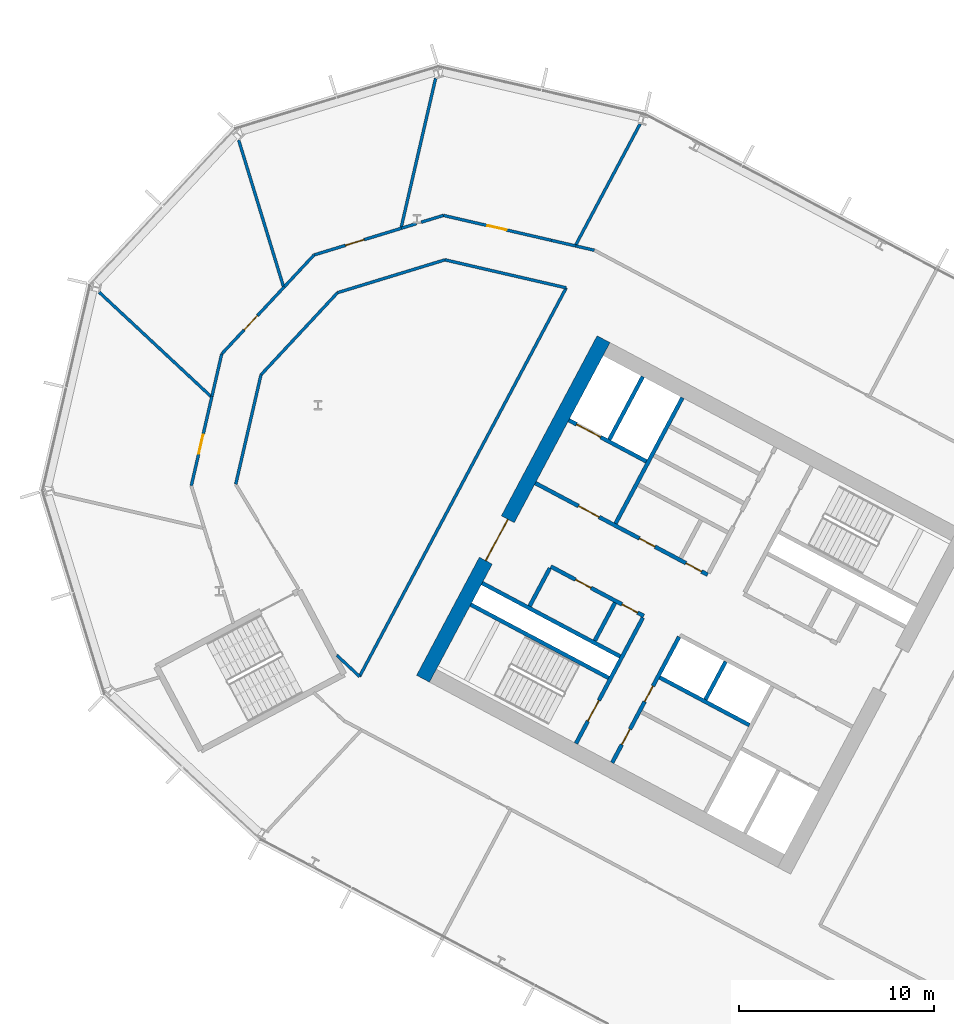
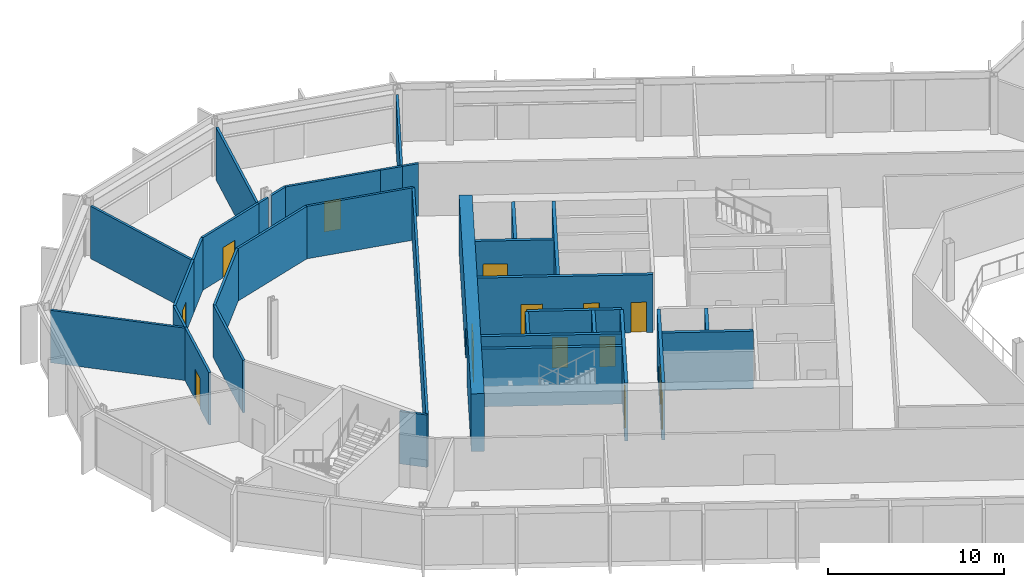
# One storey, part 14 of 28: 34 walls, 14 doors, 14 openings.
"""IFC4 building model written with IfcOpenShell, lengths in metres."""

from ifc_helpers import new_model, si_unit, direction, frame, frame_2d, origin, place, context, subcontext, project, spatial, rectangle, extrude, material, layer, layer_set, type_object, element, fill, save


model = new_model("IFC4")

# Units and contexts
model_context = context("Model", 3, precision=1e-05, world=origin(), true_north=direction((0.0, 1.0)))
body_context = subcontext(model_context, "Body", "Model", "MODEL_VIEW")
ifc_project = project(units=[si_unit("LENGTHUNIT", "METRE"), si_unit("AREAUNIT", "SQUARE_METRE"), si_unit("VOLUMEUNIT", "CUBIC_METRE"), si_unit("PLANEANGLEUNIT", "RADIAN"), si_unit("MASSUNIT", "GRAM", prefix="KILO")], contexts=[model_context])

# Site, building, storey
site_placement = place(None, origin())
site = spatial("IfcSite", under=ifc_project, at=site_placement, CompositionType="ELEMENT")
building_placement = place(site_placement, origin())
building = spatial("IfcBuilding", under=site, at=building_placement, Name="Cormorant Relay Tower", CompositionType="ELEMENT")
storey_placement = place(building_placement, frame((0.0, 0.0, 150.199951171875)))
storey = spatial("IfcBuildingStorey", under=building, at=storey_placement, Name="L31", CompositionType="ELEMENT", Elevation=150.199951171875)

# Walls
ifc_material_1 = material(Name="Concrete 40 MPa", Category="concrete")
ifc_layer_1 = layer(ifc_material_1, 0.199951171875)
ifc_layer_set_1 = layer_set([ifc_layer_1], Name="Core internal wall 200")
wall_type_1 = type_object("IfcWallType", Name="Core internal wall 200", PredefinedType="SOLIDWALL", material=ifc_layer_set_1)
wall_1_placement = place(storey_placement, frame((-25.744140625, 11.64990234375, 0.0), z_axis=(0.0, 0.0, 1.0), x_axis=(-0.469487830541, -0.882938942948, 0.0)))
element("IfcWall", 1, at=wall_1_placement, inside=storey, type_object=wall_type_1, Name="L31 core A shaft and room wall", PredefinedType="SOLIDWALL", context=body_context, shape_type="SweptSolid", body=[
    extrude(rectangle(XDim=2.2001953125, YDim=0.199951171875, at=frame_2d((1.10009765625, 0.0))), origin(), (0.0, 0.0, 1.0), 4.0),
])
wall_2_placement = place(storey_placement, frame((-31.41259765625, 14.663818359375, 0.0), z_axis=(0.0, 0.0, 1.0), x_axis=(-0.469533832133, -0.882914480843, 0.0)))
element("IfcWall", 2, at=wall_2_placement, inside=storey, type_object=wall_type_1, Name="L31 core A shaft and room wall", PredefinedType="SOLIDWALL", context=body_context, shape_type="SweptSolid", body=[
    extrude(rectangle(XDim=2.199951171875, YDim=0.199951171875, at=frame_2d((1.10009765625, 0.0))), origin(), (0.0, 0.0, 1.0), 4.0),
])

# Wall, openings, doors
ifc_material_2 = material(Name="Concrete 50 MPa", Category="concrete")
ifc_layer_2 = layer(ifc_material_2, 0.199951171875)
ifc_layer_set_2 = layer_set([ifc_layer_2], Name="Core shaft wall 200")
wall_type_2 = type_object("IfcWallType", Name="Core shaft wall 200", PredefinedType="SHEAR", material=ifc_layer_set_2)
wall_3_placement = place(storey_placement, frame((-28.128173828125, 12.91748046875, 0.0), z_axis=(0.0, 0.0, 1.0), x_axis=(-0.469454336211, -0.882956752176, 0.0)))
wall_3 = element("IfcWall", 3, at=wall_3_placement, inside=storey, type_object=wall_type_2, Name="L31 core A shaft wall", PredefinedType="SHEAR", context=body_context, shape_type="SweptSolid", body=[
    extrude(rectangle(XDim=7.300048828125, YDim=0.199951171875, at=frame_2d((3.64990234375, 0.0))), origin(), (0.0, 0.0, 1.0), 4.0),
])
opening_1_placement = place(wall_3_placement, frame((2.85009765625, 0.0, 0.0)))
opening_1 = element("IfcOpeningElement", 4, at=opening_1_placement, cuts=wall_3, Name="Opening CDD-196", PredefinedType="OPENING", context=body_context, shape_type="SweptSolid", body=[
    extrude(rectangle(XDim=0.89990234375, YDim=2.10009765625, at=frame_2d((0.449951171875, 1.050048828125))), frame((0.0, 0.10986328125, 0.0), z_axis=(0.0, -1.0, 0.0), x_axis=(1.0, 0.0, 0.0)), (0.0, 0.0, 1.0), 0.219970703125),
])
opening_2_placement = place(wall_3_placement, frame((5.35009765625, 0.0, 0.0)))
opening_2 = element("IfcOpeningElement", 5, at=opening_2_placement, cuts=wall_3, Name="Opening CDD-197", PredefinedType="OPENING", context=body_context, shape_type="SweptSolid", body=[
    extrude(rectangle(XDim=0.89990234375, YDim=2.10009765625, at=frame_2d((0.449951171875, 1.050048828125))), frame((0.0, 0.10986328125, 0.0), z_axis=(0.0, -1.0, 0.0), x_axis=(1.0, 0.0, 0.0)), (0.0, 0.0, 1.0), 0.219970703125),
])
ifc_material_3 = material(Name="Steel fire door", Category="steel")
door_type_1 = type_object("IfcDoorType", Name="Core room door 900x2100", OperationType="SINGLE_SWING_LEFT", PredefinedType="DOOR", material=ifc_material_3)
door_1_placement = place(opening_1_placement, origin())
door_1 = element("IfcDoor", 6, at=door_1_placement, inside=storey, type_object=door_type_1, Name="Core room door 900x2100", OperationType="SINGLE_SWING_LEFT", OverallHeight=2.10009765625, OverallWidth=0.89990234375, PredefinedType="DOOR", context=body_context, shape_type="SweptSolid", body=[
    extrude(rectangle(XDim=0.89990234375, YDim=2.10009765625, at=frame_2d((0.449951171875, 1.050048828125))), frame((0.0, 0.02490234375, 0.0), z_axis=(0.0, -1.0, 0.0), x_axis=(1.0, 0.0, 0.0)), (0.0, 0.0, 1.0), 0.050048828125),
])
fill(opening_1, door_1)
door_2_placement = place(opening_2_placement, origin())
door_2 = element("IfcDoor", 7, at=door_2_placement, inside=storey, type_object=door_type_1, Name="Core room door 900x2100", OperationType="SINGLE_SWING_LEFT", OverallHeight=2.10009765625, OverallWidth=0.89990234375, PredefinedType="DOOR", context=body_context, shape_type="SweptSolid", body=[
    extrude(rectangle(XDim=0.89990234375, YDim=2.10009765625, at=frame_2d((0.449951171875, 1.050048828125))), frame((0.0, 0.02490234375, 0.0), z_axis=(0.0, -1.0, 0.0), x_axis=(1.0, 0.0, 0.0)), (0.0, 0.0, 1.0), 0.050048828125),
])
fill(opening_2, door_2)

# Wall, opening, door
wall_4_placement = place(storey_placement, frame((-29.982421875, 13.9033203125, 0.0), z_axis=(0.0, 0.0, 1.0), x_axis=(-0.469454336211, -0.882956752176, 0.0)))
wall_4 = element("IfcWall", 8, at=wall_4_placement, inside=storey, type_object=wall_type_2, Name="L31 core A shaft wall", PredefinedType="SHEAR", context=body_context, shape_type="SweptSolid", body=[
    extrude(rectangle(XDim=7.300048828125, YDim=0.199951171875, at=frame_2d((3.64990234375, 0.0))), origin(), (0.0, 0.0, 1.0), 4.0),
])
opening_3_placement = place(wall_4_placement, frame((4.800048828125, 0.0, 0.0)))
opening_3 = element("IfcOpeningElement", 9, at=opening_3_placement, cuts=wall_4, Name="Opening CDB-035", PredefinedType="OPENING", context=body_context, shape_type="SweptSolid", body=[
    extrude(rectangle(XDim=1.199951171875, YDim=2.10009765625, at=frame_2d((0.60009765625, 1.050048828125))), frame((0.0, 0.10986328125, 0.0), z_axis=(0.0, -1.0, 0.0), x_axis=(1.0, 0.0, 0.0)), (0.0, 0.0, 1.0), 0.219970703125),
])
ifc_material_4 = material(Name="Steel fire door", Category="steel")
door_type_2 = type_object("IfcDoorType", Name="Core stair door 1200x2100", OperationType="SINGLE_SWING_LEFT", PredefinedType="DOOR", material=ifc_material_4)
door_3_placement = place(opening_3_placement, frame((1.199951171875, 0.0, 0.0), z_axis=(0.0, 0.0, 1.0), x_axis=(-1.0, 0.0, 0.0)))
door_3 = element("IfcDoor", 10, at=door_3_placement, inside=storey, type_object=door_type_2, Name="Core stair door 1200x2100", OperationType="SINGLE_SWING_RIGHT", OverallHeight=2.10009765625, OverallWidth=1.199951171875, PredefinedType="DOOR", context=body_context, shape_type="SweptSolid", body=[
    extrude(rectangle(XDim=1.199951171875, YDim=2.10009765625, at=frame_2d((0.60009765625, 1.050048828125))), frame((0.0, 0.02490234375, 0.0), z_axis=(0.0, -1.0, 0.0), x_axis=(1.0, 0.0, 0.0)), (0.0, 0.0, 1.0), 0.050048828125),
])
fill(opening_3, door_3)

# Walls
wall_5_placement = place(storey_placement, frame((-27.955322265625, 25.170654296875, 0.0), z_axis=(0.0, 0.0, 1.0), x_axis=(-0.469480409012, -0.88294288918, 0.0)))
element("IfcWall", 11, at=wall_5_placement, inside=storey, type_object=wall_type_2, Name="L31 core A shaft wall", PredefinedType="SHEAR", context=body_context, shape_type="SweptSolid", body=[
    extrude(rectangle(XDim=7.300048828125, YDim=0.199951171875, at=frame_2d((3.64990234375, 0.0))), origin(), (0.0, 0.0, 1.0), 4.0),
])
wall_6_placement = place(storey_placement, frame((-34.750244140625, 16.4384765625, 0.0), z_axis=(0.0, 0.0, 1.0), x_axis=(-0.469401318492, -0.882984938828, 0.0)))
element("IfcWall", 12, at=wall_6_placement, inside=storey, type_object=wall_type_2, Name="L31 core A shaft wall", PredefinedType="SHEAR", context=body_context, shape_type="SweptSolid", body=[
    extrude(rectangle(XDim=2.199951171875, YDim=0.199951171875, at=frame_2d((1.10009765625, 0.0))), origin(), (0.0, 0.0, 1.0), 4.0),
])
wall_7_placement = place(storey_placement, frame((-29.986083984375, 26.250244140625, 0.0), z_axis=(0.0, 0.0, 1.0), x_axis=(-0.469494272526, -0.882935517501, 0.0)))
element("IfcWall", 13, at=wall_7_placement, inside=storey, type_object=wall_type_2, Name="L31 core A shaft wall", PredefinedType="SHEAR", context=body_context, shape_type="SweptSolid", body=[
    extrude(rectangle(XDim=3.64990234375, YDim=0.199951171875, at=frame_2d((1.824951171875, 0.0))), origin(), (0.0, 0.0, 1.0), 4.0),
])

# Wall, opening, door
wall_8_placement = place(storey_placement, frame((-29.80419921875, 21.906494140625, 0.0), z_axis=(0.0, 0.0, 1.0), x_axis=(-0.882960433586, 0.469447412093, 0.0)))
wall_8 = element("IfcWall", 14, at=wall_8_placement, inside=storey, type_object=wall_type_2, Name="L31 core A shaft wall", PredefinedType="SHEAR", context=body_context, shape_type="SweptSolid", body=[
    extrude(rectangle(XDim=4.5, YDim=0.199951171875, at=frame_2d((2.25, 0.0))), origin(), (0.0, 0.0, 1.0), 4.0),
])
opening_4_placement = place(wall_8_placement, frame((2.64990234375, 0.0, 0.0)))
opening_4 = element("IfcOpeningElement", 15, at=opening_4_placement, cuts=wall_8, Name="Opening LD3-013", PredefinedType="OPENING", context=body_context, shape_type="SweptSolid", body=[
    extrude(rectangle(XDim=1.39990234375, YDim=2.39990234375, at=frame_2d((0.699951171875, 1.199951171875))), frame((0.0, 0.10986328125, 0.0), z_axis=(0.0, -1.0, 0.0), x_axis=(1.0, 0.0, 0.0)), (0.0, 0.0, 1.0), 0.219970703125),
])
ifc_material_5 = material(Name="Stainless steel 316", Category="steel")
door_type_3 = type_object("IfcDoorType", Name="Lift landing door 1400x2400", OperationType="DOUBLE_DOOR_SLIDING", PredefinedType="DOOR", material=ifc_material_5)
door_4_placement = place(opening_4_placement, origin())
door_4 = element("IfcDoor", 16, at=door_4_placement, inside=storey, type_object=door_type_3, Name="SV1 landing door", OperationType="DOUBLE_DOOR_SLIDING", OverallHeight=2.39990234375, OverallWidth=1.39990234375, PredefinedType="DOOR", context=body_context, shape_type="SweptSolid", body=[
    extrude(rectangle(XDim=1.39990234375, YDim=2.39990234375, at=frame_2d((0.699951171875, 1.199951171875))), frame((0.0, 0.02490234375, 0.0), z_axis=(0.0, -1.0, 0.0), x_axis=(1.0, 0.0, 0.0)), (0.0, 0.0, 1.0), 0.050048828125),
])
fill(opening_4, door_4)

# Wall, openings, doors
wall_9_placement = place(storey_placement, frame((-26.66162109375, 16.1015625, 0.0), z_axis=(0.0, 0.0, 1.0), x_axis=(-0.882940221191, 0.469485426614, 0.0)))
wall_9 = element("IfcWall", 17, at=wall_9_placement, inside=storey, type_object=wall_type_2, Name="L31 core A shaft wall", PredefinedType="SHEAR", context=body_context, shape_type="SweptSolid", body=[
    extrude(rectangle(XDim=10.0, YDim=0.199951171875, at=frame_2d((5.0, 0.0))), origin(), (0.0, 0.0, 1.0), 4.0),
])
opening_5_placement = place(wall_9_placement, frame((6.300048828125, 0.0, 0.0)))
opening_5 = element("IfcOpeningElement", 18, at=opening_5_placement, cuts=wall_9, Name="Opening CDC-026", PredefinedType="OPENING", context=body_context, shape_type="SweptSolid", body=[
    extrude(rectangle(XDim=1.199951171875, YDim=2.10009765625, at=frame_2d((0.60009765625, 1.050048828125))), frame((0.0, 0.10986328125, 0.0), z_axis=(0.0, -1.0, 0.0), x_axis=(1.0, 0.0, 0.0)), (0.0, 0.0, 1.0), 0.219970703125),
])
opening_6_placement = place(wall_9_placement, frame((0.360107421875, 0.0, 0.0)))
opening_6 = element("IfcOpeningElement", 19, at=opening_6_placement, cuts=wall_9, Name="Opening CDD-170", PredefinedType="OPENING", context=body_context, shape_type="SweptSolid", body=[
    extrude(rectangle(XDim=0.89990234375, YDim=2.10009765625, at=frame_2d((0.449951171875, 1.050048828125))), frame((0.0, 0.10986328125, 0.0), z_axis=(0.0, -1.0, 0.0), x_axis=(1.0, 0.0, 0.0)), (0.0, 0.0, 1.0), 0.219970703125),
])
opening_7_placement = place(wall_9_placement, frame((3.06005859375, 0.0, 0.0)))
opening_7 = element("IfcOpeningElement", 20, at=opening_7_placement, cuts=wall_9, Name="Opening CDD-171", PredefinedType="OPENING", context=body_context, shape_type="SweptSolid", body=[
    extrude(rectangle(XDim=0.89990234375, YDim=2.10009765625, at=frame_2d((0.449951171875, 1.050048828125))), frame((0.0, 0.10986328125, 0.0), z_axis=(0.0, -1.0, 0.0), x_axis=(1.0, 0.0, 0.0)), (0.0, 0.0, 1.0), 0.219970703125),
])
ifc_material_6 = material(Name="Steel fire door", Category="steel")
door_type_4 = type_object("IfcDoorType", Name="Core lobby door 1200x2100", OperationType="SINGLE_SWING_LEFT", PredefinedType="DOOR", material=ifc_material_6)
door_5_placement = place(opening_5_placement, origin())
door_5 = element("IfcDoor", 21, at=door_5_placement, inside=storey, type_object=door_type_4, Name="Core lobby door 1200x2100", OperationType="SINGLE_SWING_LEFT", OverallHeight=2.10009765625, OverallWidth=1.199951171875, PredefinedType="DOOR", context=body_context, shape_type="SweptSolid", body=[
    extrude(rectangle(XDim=1.199951171875, YDim=2.10009765625, at=frame_2d((0.60009765625, 1.050048828125))), frame((0.0, 0.02490234375, 0.0), z_axis=(0.0, -1.0, 0.0), x_axis=(1.0, 0.0, 0.0)), (0.0, 0.0, 1.0), 0.050048828125),
])
fill(opening_5, door_5)
door_6_placement = place(opening_6_placement, origin())
door_6 = element("IfcDoor", 22, at=door_6_placement, inside=storey, type_object=door_type_1, Name="Core room door 900x2100", OperationType="SINGLE_SWING_LEFT", OverallHeight=2.10009765625, OverallWidth=0.89990234375, PredefinedType="DOOR", context=body_context, shape_type="SweptSolid", body=[
    extrude(rectangle(XDim=0.89990234375, YDim=2.10009765625, at=frame_2d((0.449951171875, 1.050048828125))), frame((0.0, 0.02490234375, 0.0), z_axis=(0.0, -1.0, 0.0), x_axis=(1.0, 0.0, 0.0)), (0.0, 0.0, 1.0), 0.050048828125),
])
fill(opening_6, door_6)
door_7_placement = place(opening_7_placement, origin())
door_7 = element("IfcDoor", 23, at=door_7_placement, inside=storey, type_object=door_type_1, Name="Core room door 900x2100", OperationType="SINGLE_SWING_LEFT", OverallHeight=2.10009765625, OverallWidth=0.89990234375, PredefinedType="DOOR", context=body_context, shape_type="SweptSolid", body=[
    extrude(rectangle(XDim=0.89990234375, YDim=2.10009765625, at=frame_2d((0.449951171875, 1.050048828125))), frame((0.0, 0.02490234375, 0.0), z_axis=(0.0, -1.0, 0.0), x_axis=(1.0, 0.0, 0.0)), (0.0, 0.0, 1.0), 0.050048828125),
])
fill(opening_7, door_7)

wall_10_placement = place(storey_placement, frame((-29.935302734375, 13.991455078125, 0.0), z_axis=(0.0, 0.0, 1.0), x_axis=(-0.882952937579, 0.469461510692, 0.0)))
wall_10 = element("IfcWall", 24, at=wall_10_placement, inside=storey, type_object=wall_type_2, Name="L31 core A shaft wall", PredefinedType="SHEAR", context=body_context, shape_type="SweptSolid", body=[
    extrude(rectangle(XDim=5.400146484375, YDim=0.199951171875, at=frame_2d((2.7001953125, 0.0))), origin(), (0.0, 0.0, 1.0), 4.0),
])
opening_8_placement = place(wall_10_placement, frame((0.360107421875, 0.0, 0.0)))
opening_8 = element("IfcOpeningElement", 25, at=opening_8_placement, cuts=wall_10, Name="Opening CDD-166", PredefinedType="OPENING", context=body_context, shape_type="SweptSolid", body=[
    extrude(rectangle(XDim=0.89990234375, YDim=2.10009765625, at=frame_2d((0.449951171875, 1.050048828125))), frame((0.0, 0.10986328125, 0.0), z_axis=(0.0, -1.0, 0.0), x_axis=(1.0, 0.0, 0.0)), (0.0, 0.0, 1.0), 0.219970703125),
])
opening_9_placement = place(wall_10_placement, frame((3.06005859375, 0.0, 0.0)))
opening_9 = element("IfcOpeningElement", 26, at=opening_9_placement, cuts=wall_10, Name="Opening CDD-167", PredefinedType="OPENING", context=body_context, shape_type="SweptSolid", body=[
    extrude(rectangle(XDim=0.89990234375, YDim=2.10009765625, at=frame_2d((0.449951171875, 1.050048828125))), frame((0.0, 0.10986328125, 0.0), z_axis=(0.0, -1.0, 0.0), x_axis=(1.0, 0.0, 0.0)), (0.0, 0.0, 1.0), 0.219970703125),
])
door_8_placement = place(opening_8_placement, origin())
door_8 = element("IfcDoor", 27, at=door_8_placement, inside=storey, type_object=door_type_1, Name="Core room door 900x2100", OperationType="SINGLE_SWING_LEFT", OverallHeight=2.10009765625, OverallWidth=0.89990234375, PredefinedType="DOOR", context=body_context, shape_type="SweptSolid", body=[
    extrude(rectangle(XDim=0.89990234375, YDim=2.10009765625, at=frame_2d((0.449951171875, 1.050048828125))), frame((0.0, 0.02490234375, 0.0), z_axis=(0.0, -1.0, 0.0), x_axis=(1.0, 0.0, 0.0)), (0.0, 0.0, 1.0), 0.050048828125),
])
fill(opening_8, door_8)
door_9_placement = place(opening_9_placement, origin())
door_9 = element("IfcDoor", 28, at=door_9_placement, inside=storey, type_object=door_type_1, Name="Core room door 900x2100", OperationType="SINGLE_SWING_LEFT", OverallHeight=2.10009765625, OverallWidth=0.89990234375, PredefinedType="DOOR", context=body_context, shape_type="SweptSolid", body=[
    extrude(rectangle(XDim=0.89990234375, YDim=2.10009765625, at=frame_2d((0.449951171875, 1.050048828125))), frame((0.0, 0.02490234375, 0.0), z_axis=(0.0, -1.0, 0.0), x_axis=(1.0, 0.0, 0.0)), (0.0, 0.0, 1.0), 0.050048828125),
])
fill(opening_9, door_9)

# Walls
wall_11_placement = place(storey_placement, frame((-24.5283203125, 8.3984375, 0.0), z_axis=(0.0, 0.0, 1.0), x_axis=(-0.882953967957, 0.469459572775, 0.0)))
element("IfcWall", 29, at=wall_11_placement, inside=storey, type_object=wall_type_2, Name="L31 core A shaft wall", PredefinedType="SHEAR", context=body_context, shape_type="SweptSolid", body=[
    extrude(rectangle(XDim=5.199951171875, YDim=0.199951171875, at=frame_2d((2.60009765625, 0.0))), origin(), (0.0, 0.0, 1.0), 4.0),
])
for number, where, z_axis, x_axis, name in (
    (30, (-31.150390625, 11.91943359375, 0.0), (0.0, 0.0, 1.0), (-0.882940221191, 0.469485426614, 0.0), "L31 core A shaft wall"),
    (31, (-31.7373046875, 10.815673828125, 0.0), (0.0, 0.0, 1.0), (-0.882940221191, 0.469485426614, 0.0), "L31 core A shaft wall"),
):
    element("IfcWall", number, at=place(storey_placement, frame(where, z_axis=z_axis, x_axis=x_axis)), inside=storey, type_object=wall_type_2, Name=name, PredefinedType="SHEAR", context=body_context, shape_type="SweptSolid", body=[
        extrude(rectangle(XDim=8.0, YDim=0.199951171875, at=frame_2d((4.0, 0.0))), origin(), (0.0, 0.0, 1.0), 4.0),
    ])

# Wall, opening, door
ifc_material_7 = material(Name="Concrete 60 MPa", Category="concrete")
ifc_layer_3 = layer(ifc_material_7, 0.75)
ifc_layer_set_3 = layer_set([ifc_layer_3], Name="Core wall 750")
wall_type_3 = type_object("IfcWallType", Name="Core wall 750", PredefinedType="SHEAR", material=ifc_layer_set_3)
wall_12_placement = place(storey_placement, frame((-31.995849609375, 28.16845703125, 0.0), z_axis=(0.0, 0.0, 1.0), x_axis=(-0.469479580143, -0.882943329908, 0.0)))
wall_12 = element("IfcWall", 32, at=wall_12_placement, inside=storey, type_object=wall_type_3, Name="L31 core A wall", PredefinedType="SHEAR", context=body_context, shape_type="SweptSolid", body=[
    extrude(rectangle(XDim=19.699951171875, YDim=0.75, at=frame_2d((9.85009765625, 0.0))), origin(), (0.0, 0.0, 1.0), 4.0),
])
opening_10_placement = place(wall_12_placement, frame((10.449951171875, 0.0, 0.0)))
opening_10 = element("IfcOpeningElement", 33, at=opening_10_placement, cuts=wall_12, Name="Opening CDA-027", PredefinedType="OPENING", context=body_context, shape_type="SweptSolid", body=[
    extrude(rectangle(XDim=2.39990234375, YDim=2.39990234375, at=frame_2d((1.199951171875, 1.199951171875))), frame((0.0, 0.385009765625, 0.0), z_axis=(0.0, -1.0, 0.0), x_axis=(1.0, 0.0, 0.0)), (0.0, 0.0, 1.0), 0.77001953125),
])
ifc_material_8 = material(Name="Steel fire door", Category="steel")
door_type_5 = type_object("IfcDoorType", Name="Core lobby door 2400x2400", OperationType="DOUBLE_DOOR_SINGLE_SWING", PredefinedType="DOOR", material=ifc_material_8)
door_10_placement = place(opening_10_placement, origin())
door_10 = element("IfcDoor", 34, at=door_10_placement, inside=storey, type_object=door_type_5, Name="Core lobby door 2400x2400", OperationType="DOUBLE_DOOR_SINGLE_SWING", OverallHeight=2.39990234375, OverallWidth=2.39990234375, PredefinedType="DOOR", context=body_context, shape_type="SweptSolid", body=[
    extrude(rectangle(XDim=2.39990234375, YDim=2.39990234375, at=frame_2d((1.199951171875, 1.199951171875))), frame((0.0, 0.02490234375, 0.0), z_axis=(0.0, -1.0, 0.0), x_axis=(1.0, 0.0, 0.0)), (0.0, 0.0, 1.0), 0.050048828125),
])
fill(opening_10, door_10)

ifc_material_9 = material(Name="Gypsum board fire partition")
ifc_layer_4 = layer(ifc_material_9, 0.14990234375)
ifc_layer_set_4 = layer_set([ifc_layer_4], Name="Corridor partition 150 EI 60")
wall_type_4 = type_object("IfcWallType", Name="Corridor partition 150 EI 60", PredefinedType="PARTITIONING", material=ifc_layer_set_4)
wall_13_placement = place(storey_placement, frame((-52.055908203125, 25.24609375, 0.0), z_axis=(0.0, 0.0, 1.0), x_axis=(-0.224961765576, -0.97436759184, 0.0)))
wall_13 = element("IfcWall", 35, at=wall_13_placement, inside=storey, type_object=wall_type_4, Name="wall/L31/part/004", PredefinedType="PARTITIONING", context=body_context, shape_type="SweptSolid", body=[
    extrude(rectangle(XDim=4.707763671875, YDim=0.14990234375, at=frame_2d((2.35400390625, 0.0))), origin(), (0.0, 0.0, 1.0), 3.64013671875),
])
opening_11_placement = place(wall_13_placement, frame((2.02392578125, 0.0, 0.0)))
opening_11 = element("IfcOpeningElement", 36, at=opening_11_placement, cuts=wall_13, Name="Opening DS-011", PredefinedType="OPENING", context=body_context, shape_type="SweptSolid", body=[
    extrude(rectangle(XDim=1.0, YDim=2.10009765625, at=frame_2d((0.5, 1.050048828125))), frame((0.0, 0.0849609375, 0.0), z_axis=(0.0, -1.0, 0.0), x_axis=(1.0, 0.0, 0.0)), (0.0, 0.0, 1.0), 0.169921875),
])
ifc_material_10 = material(Name="Timber door leaf", Category="wood")
door_type_6 = type_object("IfcDoorType", Name="Suite door 1000x2100", OperationType="SINGLE_SWING_LEFT", PredefinedType="DOOR", material=ifc_material_10)
door_11_placement = place(opening_11_placement, frame((1.0, 0.0, 0.0), z_axis=(0.0, 0.0, 1.0), x_axis=(-1.0, 0.0, 0.0)))
door_11 = element("IfcDoor", 37, at=door_11_placement, inside=storey, type_object=door_type_6, Name="door/L31/014", OperationType="SINGLE_SWING_RIGHT", OverallHeight=2.10009765625, OverallWidth=1.0, PredefinedType="DOOR", context=body_context, shape_type="SweptSolid", body=[
    extrude(rectangle(XDim=1.0, YDim=2.10009765625, at=frame_2d((0.5, 1.050048828125))), frame((0.0, 0.02490234375, 0.0), z_axis=(0.0, -1.0, 0.0), x_axis=(1.0, 0.0, 0.0)), (0.0, 0.0, 1.0), 0.050048828125),
])
fill(opening_11, door_11)

wall_14_placement = place(storey_placement, frame((-48.344970703125, 30.85595703125, 0.0), z_axis=(0.0, 0.0, 1.0), x_axis=(-0.682044743799, -0.731310445335, 0.0)))
wall_14 = element("IfcWall", 38, at=wall_14_placement, inside=storey, type_object=wall_type_4, Name="wall/L31/part/008", PredefinedType="PARTITIONING", context=body_context, shape_type="SweptSolid", body=[
    extrude(rectangle(XDim=4.707763671875, YDim=0.14990234375, at=frame_2d((2.35400390625, 0.0))), origin(), (0.0, 0.0, 1.0), 3.64013671875),
])
opening_12_placement = place(wall_14_placement, frame((2.02392578125, 0.0, 0.0)))
opening_12 = element("IfcOpeningElement", 39, at=opening_12_placement, cuts=wall_14, Name="Opening DS-010", PredefinedType="OPENING", context=body_context, shape_type="SweptSolid", body=[
    extrude(rectangle(XDim=1.0, YDim=2.10009765625, at=frame_2d((0.5, 1.050048828125))), frame((0.0, 0.0849609375, 0.0), z_axis=(0.0, -1.0, 0.0), x_axis=(1.0, 0.0, 0.0)), (0.0, 0.0, 1.0), 0.169921875),
])
door_12_placement = place(opening_12_placement, frame((1.0, 0.0, 0.0), z_axis=(0.0, 0.0, 1.0), x_axis=(-1.0, 0.0, 0.0)))
door_12 = element("IfcDoor", 40, at=door_12_placement, inside=storey, type_object=door_type_6, Name="door/L31/013", OperationType="SINGLE_SWING_RIGHT", OverallHeight=2.10009765625, OverallWidth=1.0, PredefinedType="DOOR", context=body_context, shape_type="SweptSolid", body=[
    extrude(rectangle(XDim=1.0, YDim=2.10009765625, at=frame_2d((0.5, 1.050048828125))), frame((0.0, 0.02490234375, 0.0), z_axis=(0.0, -1.0, 0.0), x_axis=(1.0, 0.0, 0.0)), (0.0, 0.0, 1.0), 0.050048828125),
])
fill(opening_12, door_12)

# Wall
wall_15_placement = place(storey_placement, frame((-51.555908203125, 27.4130859375, 0.0), z_axis=(0.0, 0.0, 1.0), x_axis=(-0.225019992363, -0.974354146621, 0.0)))
element("IfcWall", 41, at=wall_15_placement, inside=storey, type_object=wall_type_4, Name="wall/L31/part/009", PredefinedType="PARTITIONING", context=body_context, shape_type="SweptSolid", body=[
    extrude(rectangle(XDim=2.221923828125, YDim=0.14990234375, at=frame_2d((1.11083984375, 0.0))), origin(), (0.0, 0.0, 1.0), 3.64013671875),
])

# Wall, opening, door
wall_16_placement = place(storey_placement, frame((-42.325927734375, 33.85791015625, 0.0), z_axis=(0.0, 0.0, 1.0), x_axis=(-0.956351168554, -0.292219852858, 0.0)))
wall_16 = element("IfcWall", 42, at=wall_16_placement, inside=storey, type_object=wall_type_4, Name="wall/L31/part/013", PredefinedType="PARTITIONING", context=body_context, shape_type="SweptSolid", body=[
    extrude(rectangle(XDim=4.708740234375, YDim=0.14990234375, at=frame_2d((2.3544921875, 0.0))), origin(), (0.0, 0.0, 1.0), 3.64013671875),
])
opening_13_placement = place(wall_16_placement, frame((2.02490234375, 0.0, 0.0)))
opening_13 = element("IfcOpeningElement", 43, at=opening_13_placement, cuts=wall_16, Name="Opening DS-009", PredefinedType="OPENING", context=body_context, shape_type="SweptSolid", body=[
    extrude(rectangle(XDim=1.0, YDim=2.10009765625, at=frame_2d((0.5, 1.050048828125))), frame((0.0, 0.0849609375, 0.0), z_axis=(0.0, -1.0, 0.0), x_axis=(1.0, 0.0, 0.0)), (0.0, 0.0, 1.0), 0.169921875),
])
door_13_placement = place(opening_13_placement, frame((1.0, 0.0, 0.0), z_axis=(0.0, 0.0, 1.0), x_axis=(-1.0, 0.0, 0.0)))
door_13 = element("IfcDoor", 44, at=door_13_placement, inside=storey, type_object=door_type_6, Name="door/L31/012", OperationType="SINGLE_SWING_RIGHT", OverallHeight=2.10009765625, OverallWidth=1.0, PredefinedType="DOOR", context=body_context, shape_type="SweptSolid", body=[
    extrude(rectangle(XDim=1.0, YDim=2.10009765625, at=frame_2d((0.5, 1.050048828125))), frame((0.0, 0.02490234375, 0.0), z_axis=(0.0, -1.0, 0.0), x_axis=(1.0, 0.0, 0.0)), (0.0, 0.0, 1.0), 0.050048828125),
])
fill(opening_13, door_13)

# Walls
wall_17_placement = place(storey_placement, frame((-46.8291015625, 32.48193359375, 0.0), z_axis=(0.0, 0.0, 1.0), x_axis=(-0.681891349178, -0.731453476249, 0.0)))
element("IfcWall", 45, at=wall_17_placement, inside=storey, type_object=wall_type_4, Name="wall/L31/part/014", PredefinedType="PARTITIONING", context=body_context, shape_type="SweptSolid", body=[
    extrude(rectangle(XDim=2.2216796875, YDim=0.14990234375, at=frame_2d((1.11083984375, 0.0))), origin(), (0.0, 0.0, 1.0), 3.64013671875),
])
wall_18_placement = place(storey_placement, frame((-50.839111328125, 20.738037109375, 0.0), z_axis=(0.0, 0.0, 1.0), x_axis=(0.224943182107, 0.974371882201, 0.0)))
element("IfcWall", 46, at=wall_18_placement, inside=storey, type_object=wall_type_4, Name="wall/L31/part/016", PredefinedType="PARTITIONING", context=body_context, shape_type="SweptSolid", body=[
    extrude(rectangle(XDim=5.75341796875, YDim=0.14990234375, at=frame_2d((2.876708984375, 0.0))), origin(), (0.0, 0.0, 1.0), 3.64013671875),
])
wall_19_placement = place(storey_placement, frame((-49.544921875, 26.343994140625, 0.0), z_axis=(0.0, 0.0, 1.0), x_axis=(0.681973388481, 0.731376987199, 0.0)))
element("IfcWall", 47, at=wall_19_placement, inside=storey, type_object=wall_type_4, Name="wall/L31/part/017", PredefinedType="PARTITIONING", context=body_context, shape_type="SweptSolid", body=[
    extrude(rectangle(XDim=5.752197265625, YDim=0.14990234375, at=frame_2d((2.8759765625, 0.0))), origin(), (0.0, 0.0, 1.0), 3.64013671875),
])
wall_20_placement = place(storey_placement, frame((-45.6220703125, 30.551025390625, 0.0), z_axis=(0.0, 0.0, 1.0), x_axis=(0.956315986812, 0.292334967747, 0.0)))
element("IfcWall", 48, at=wall_20_placement, inside=storey, type_object=wall_type_4, Name="wall/L31/part/018", PredefinedType="PARTITIONING", context=body_context, shape_type="SweptSolid", body=[
    extrude(rectangle(XDim=5.753173828125, YDim=0.14990234375, at=frame_2d((2.87646484375, 0.0))), origin(), (0.0, 0.0, 1.0), 3.64013671875),
])
wall_21_placement = place(storey_placement, frame((-40.1201171875, 32.23291015625, 0.0), z_axis=(0.0, 0.0, 1.0), x_axis=(0.97436665742, -0.224965812754, 0.0)))
element("IfcWall", 49, at=wall_21_placement, inside=storey, type_object=wall_type_4, Name="wall/L31/part/019", PredefinedType="PARTITIONING", context=body_context, shape_type="SweptSolid", body=[
    extrude(rectangle(XDim=6.37353515625, YDim=0.14990234375, at=frame_2d((3.186767578125, 0.0))), origin(), (0.0, 0.0, 1.0), 3.64013671875),
])
wall_22_placement = place(storey_placement, frame((-33.909912109375, 30.799072265625, 0.0), z_axis=(0.0, 0.0, 1.0), x_axis=(-0.469481348016, -0.88294238989, 0.0)))
element("IfcWall", 50, at=wall_22_placement, inside=storey, type_object=wall_type_4, Name="wall/L31/part/020", PredefinedType="PARTITIONING", context=body_context, shape_type="SweptSolid", body=[
    extrude(rectangle(XDim=22.548583984375, YDim=0.14990234375, at=frame_2d((11.2744140625, 0.0))), origin(), (0.0, 0.0, 1.0), 3.64013671875),
])

# Wall, opening, door
wall_23_placement = place(storey_placement, frame((-34.677001953125, 33.23388671875, 0.0), z_axis=(0.0, 0.0, 1.0), x_axis=(-0.974367234575, 0.224963312978, 0.0)))
wall_23 = element("IfcWall", 51, at=wall_23_placement, inside=storey, type_object=wall_type_4, Name="wall/L31/part/026", PredefinedType="PARTITIONING", context=body_context, shape_type="SweptSolid", body=[
    extrude(rectangle(XDim=5.668212890625, YDim=0.14990234375, at=frame_2d((2.833984375, 0.0))), origin(), (0.0, 0.0, 1.0), 3.64013671875),
])
opening_14_placement = place(wall_23_placement, frame((2.35009765625, 0.0, 0.0)))
opening_14 = element("IfcOpeningElement", 52, at=opening_14_placement, cuts=wall_23, Name="Opening DS-008", PredefinedType="OPENING", context=body_context, shape_type="SweptSolid", body=[
    extrude(rectangle(XDim=1.0, YDim=2.10009765625, at=frame_2d((0.5, 1.050048828125))), frame((0.0, 0.0849609375, 0.0), z_axis=(0.0, -1.0, 0.0), x_axis=(1.0, 0.0, 0.0)), (0.0, 0.0, 1.0), 0.169921875),
])
door_14_placement = place(opening_14_placement, frame((1.0, 0.0, 0.0), z_axis=(0.0, 0.0, 1.0), x_axis=(-1.0, 0.0, 0.0)))
door_14 = element("IfcDoor", 53, at=door_14_placement, inside=storey, type_object=door_type_6, Name="door/L31/011", OperationType="SINGLE_SWING_RIGHT", OverallHeight=2.10009765625, OverallWidth=1.0, PredefinedType="DOOR", context=body_context, shape_type="SweptSolid", body=[
    extrude(rectangle(XDim=1.0, YDim=2.10009765625, at=frame_2d((0.5, 1.050048828125))), frame((0.0, 0.02490234375, 0.0), z_axis=(0.0, -1.0, 0.0), x_axis=(1.0, 0.0, 0.0)), (0.0, 0.0, 1.0), 0.050048828125),
])
fill(opening_14, door_14)

# Walls
wall_24_placement = place(storey_placement, frame((-40.199951171875, 34.509033203125, 0.0), z_axis=(0.0, 0.0, 1.0), x_axis=(-0.956177669283, -0.29278706386, 0.0)))
element("IfcWall", 54, at=wall_24_placement, inside=storey, type_object=wall_type_4, Name="wall/L31/part/027", PredefinedType="PARTITIONING", context=body_context, shape_type="SweptSolid", body=[
    extrude(rectangle(XDim=1.18896484375, YDim=0.14990234375, at=frame_2d((0.594482421875, 0.0))), origin(), (0.0, 0.0, 1.0), 3.64013671875),
])
wall_25_placement = place(storey_placement, frame((-41.58203125, 34.0869140625, 0.0), z_axis=(0.0, 0.0, 1.0), x_axis=(-0.956187735772, -0.292754186919, 0.0)))
element("IfcWall", 55, at=wall_25_placement, inside=storey, type_object=wall_type_4, Name="wall/L31/part/028", PredefinedType="PARTITIONING", context=body_context, shape_type="SweptSolid", body=[
    extrude(rectangle(XDim=0.798828125, YDim=0.14990234375, at=frame_2d((0.3994140625, 0.0))), origin(), (0.0, 0.0, 1.0), 3.64013671875),
])
wall_26_placement = place(storey_placement, frame((-34.677001953125, 33.23388671875, 0.0), z_axis=(0.0, 0.0, 1.0), x_axis=(0.974222435733, -0.22558955143, 0.0)))
element("IfcWall", 56, at=wall_26_placement, inside=storey, type_object=wall_type_4, Name="wall/L31/part/029", PredefinedType="PARTITIONING", context=body_context, shape_type="SweptSolid", body=[
    extrude(rectangle(XDim=1.29443359375, YDim=0.14990234375, at=frame_2d((0.647216796875, 0.0))), origin(), (0.0, 0.0, 1.0), 3.64013671875),
])
wall_27_placement = place(storey_placement, frame((-32.469970703125, 32.72412109375, 0.0), z_axis=(0.0, 0.0, 1.0), x_axis=(-0.974513968147, 0.224326828281, 0.0)))
element("IfcWall", 57, at=wall_27_placement, inside=storey, type_object=wall_type_4, Name="wall/L31/part/031", PredefinedType="PARTITIONING", context=body_context, shape_type="SweptSolid", body=[
    extrude(rectangle(XDim=0.970703125, YDim=0.14990234375, at=frame_2d((0.4853515625, 0.0))), origin(), (0.0, 0.0, 1.0), 3.64013671875),
])
ifc_material_11 = material(Name="Gypsum board partition")
ifc_layer_5 = layer(ifc_material_11, 0.14990234375)
ifc_layer_set_5 = layer_set([ifc_layer_5], Name="Tenant partition 150")
wall_type_5 = type_object("IfcWallType", Name="Tenant partition 150", PredefinedType="PARTITIONING", material=ifc_layer_set_5)
wall_28_placement = place(storey_placement, frame((-57.841064453125, 30.580078125, 0.0), z_axis=(0.0, 0.0, 1.0), x_axis=(0.731373012185, -0.681977651428, 0.0)))
element("IfcWall", 58, at=wall_28_placement, inside=storey, type_object=wall_type_5, Name="wall/L31/part/002", PredefinedType="PARTITIONING", context=body_context, shape_type="SweptSolid", body=[
    extrude(rectangle(XDim=7.893310546875, YDim=0.14990234375, at=frame_2d((3.94677734375, 0.0))), origin(), (0.0, 0.0, 1.0), 3.64013671875),
])
wall_29_placement = place(storey_placement, frame((-50.68798828125, 38.365966796875, 0.0), z_axis=(0.0, 0.0, 1.0), x_axis=(0.292463739097, -0.956276613388, 0.0)))
element("IfcWall", 59, at=wall_29_placement, inside=storey, type_object=wall_type_5, Name="wall/L31/part/010", PredefinedType="PARTITIONING", context=body_context, shape_type="SweptSolid", body=[
    extrude(rectangle(XDim=7.891845703125, YDim=0.14990234375, at=frame_2d((3.94580078125, 0.0))), origin(), (0.0, 0.0, 1.0), 3.64013671875),
])
wall_30_placement = place(storey_placement, frame((-44.49609375, 10.889892578125, 0.0), z_axis=(0.0, 0.0, 1.0), x_axis=(-0.731080698145, 0.682291003018, 0.0)))
element("IfcWall", 60, at=wall_30_placement, inside=storey, type_object=wall_type_5, Name="wall/L31/part/021", PredefinedType="PARTITIONING", context=body_context, shape_type="SweptSolid", body=[
    extrude(rectangle(XDim=1.59619140625, YDim=0.14990234375, at=frame_2d((0.798095703125, 0.0))), origin(), (0.0, 0.0, 1.0), 3.64013671875),
])
wall_31_placement = place(storey_placement, frame((-40.59912109375, 41.533935546875, 0.0), z_axis=(0.0, 0.0, 1.0), x_axis=(-0.225013130649, -0.974355731258, 0.0)))
element("IfcWall", 61, at=wall_31_placement, inside=storey, type_object=wall_type_5, Name="wall/L31/part/025", PredefinedType="PARTITIONING", context=body_context, shape_type="SweptSolid", body=[
    extrude(rectangle(XDim=7.892333984375, YDim=0.14990234375, at=frame_2d((3.9462890625, 0.0))), origin(), (0.0, 0.0, 1.0), 3.64013671875),
])
wall_32_placement = place(storey_placement, frame((-30.12890625, 39.18798828125, 0.0), z_axis=(0.0, 0.0, 1.0), x_axis=(-0.469506376509, -0.882929081194, 0.0)))
element("IfcWall", 62, at=wall_32_placement, inside=storey, type_object=wall_type_5, Name="wall/L31/part/030", PredefinedType="PARTITIONING", context=body_context, shape_type="SweptSolid", body=[
    extrude(rectangle(XDim=7.065185546875, YDim=0.14990234375, at=frame_2d((3.53271484375, 0.0))), origin(), (0.0, 0.0, 1.0), 3.64013671875),
])

save(model, "model.ifc")
